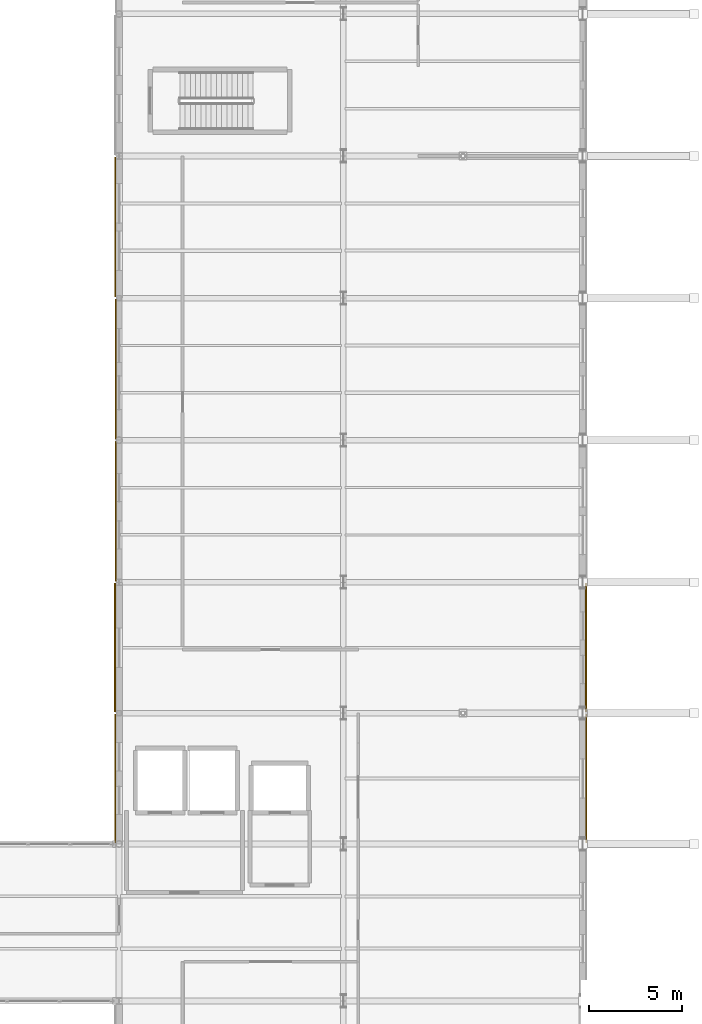
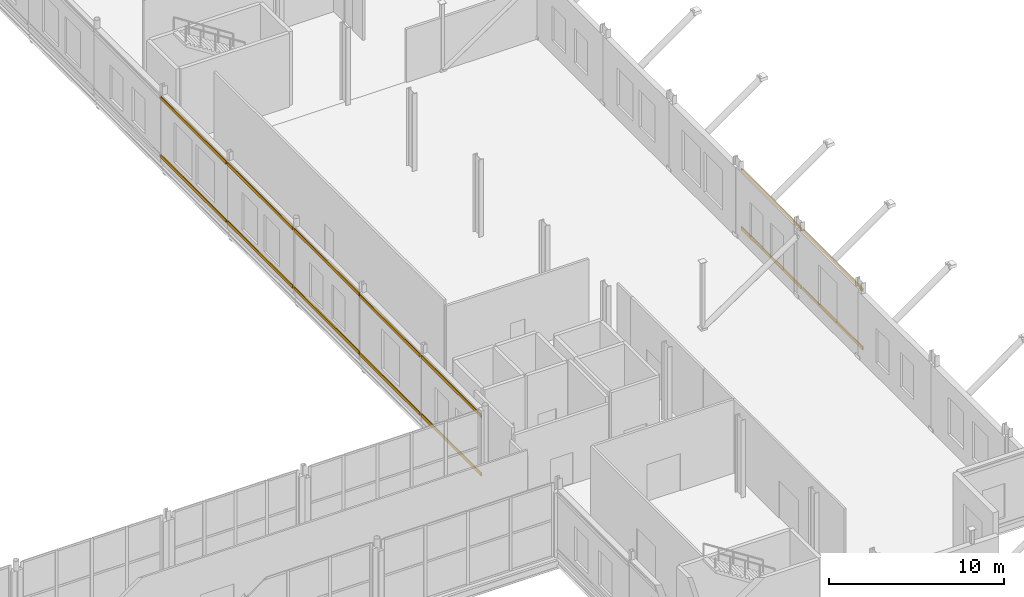
# One storey, part 144 of 147: 14 coverings.
"""IFC4 building model written with IfcOpenShell, lengths in metres."""

from ifc_helpers import new_model, si_unit, direction, frame, origin, origin_2d, place, context, subcontext, project, spatial, rectangle, extrude, material, layer, layer_set, type_object, element, save


model = new_model("IFC4")

# Units and contexts
model_context = context("Model", 3, precision=1e-05, world=origin(), true_north=direction((0.0, 1.0)))
body_context = subcontext(model_context, "Body", "Model", "MODEL_VIEW")
ifc_project = project(units=[si_unit("LENGTHUNIT", "METRE"), si_unit("AREAUNIT", "SQUARE_METRE"), si_unit("VOLUMEUNIT", "CUBIC_METRE"), si_unit("PLANEANGLEUNIT", "RADIAN"), si_unit("MASSUNIT", "GRAM", prefix="KILO")], contexts=[model_context])

# Site, building, storey
site_placement = place(None, origin())
site = spatial("IfcSite", under=ifc_project, at=site_placement, CompositionType="ELEMENT")
building_placement = place(site_placement, origin())
building = spatial("IfcBuilding", under=site, at=building_placement, Name="Vekula Escarpment Museum", CompositionType="ELEMENT")
storey_placement = place(building_placement, frame((0.0, 0.0, 7.800048828125)))
storey = spatial("IfcBuildingStorey", under=building, at=storey_placement, Name="L02", CompositionType="ELEMENT", Elevation=7.800048828125)

# Coverings
ifc_material = material(Name="Polychrome limestone almasik string-course band", Category="masonry")
ifc_layer = layer(ifc_material, 0.06005859375)
ifc_layer_set = layer_set([ifc_layer], Name="Polychrome limestone almasik string-course band")
covering_type = type_object("IfcCoveringType", Name="COV-ALM-BAND", PredefinedType="CLADDING", material=ifc_layer_set)
for number, where, z_axis, x_axis, name in (
    (1, (191.986083984375, 79.89990234375, 0.41015625), (0.0, 0.0, 1.0), (0.0, 1.0, 0.0), "Almasik Stone String Course L02-0310"),
    (2, (191.986083984375, 79.89990234375, 4.48486328125), (0.0, 0.0, 1.0), (0.0, 1.0, 0.0), "Almasik Stone String Course L02-0311"),
    (3, (191.97607421875, 86.89990234375, 0.41015625), (0.0, 0.0, 1.0), (0.0, 1.0, 0.0), "Almasik Stone String Course L02-0312"),
    (4, (191.97607421875, 86.89990234375, 4.48486328125), (0.0, 0.0, 1.0), (0.0, 1.0, 0.0), "Almasik Stone String Course L02-0313"),
):
    element("IfcCovering", number, at=place(storey_placement, frame(where, z_axis=z_axis, x_axis=x_axis)), inside=storey, type_object=covering_type, Name=name, PredefinedType="CLADDING", context=body_context, shape_type="SweptSolid", body=[
        extrude(rectangle(XDim=6.8798828125, YDim=0.06005859375, at=origin_2d()), origin(), (0.0, 0.0, 1.0), 0.219970703125),
    ])
for number, where, z_axis, x_axis, name in (
    (5, (166.799072265625, 109.39990234375, 0.41015625), (0.0, 0.0, 1.0), (0.0, 1.0, 0.0), "Almasik Stone String Course L02-0340"),
    (6, (166.799072265625, 109.39990234375, 4.48486328125), (0.0, 0.0, 1.0), (0.0, 1.0, 0.0), "Almasik Stone String Course L02-0341"),
    (7, (166.81396484375, 101.800048828125, 0.41015625), (0.0, 0.0, 1.0), (0.0, 1.0, 0.0), "Almasik Stone String Course L02-0342"),
    (8, (166.81396484375, 101.800048828125, 4.48486328125), (0.0, 0.0, 1.0), (0.0, 1.0, 0.0), "Almasik Stone String Course L02-0343"),
    (9, (166.823974609375, 94.199951171875, 0.41015625), (0.0, 0.0, 1.0), (0.0, 1.0, 0.0), "Almasik Stone String Course L02-0344"),
    (10, (166.823974609375, 94.199951171875, 4.48486328125), (0.0, 0.0, 1.0), (0.0, 1.0, 0.0), "Almasik Stone String Course L02-0345"),
):
    element("IfcCovering", number, at=place(storey_placement, frame(where, z_axis=z_axis, x_axis=x_axis)), inside=storey, type_object=covering_type, Name=name, PredefinedType="CLADDING", context=body_context, shape_type="SweptSolid", body=[
        extrude(rectangle(XDim=7.47998046875, YDim=0.06005859375, at=origin_2d()), origin(), (0.0, 0.0, 1.0), 0.219970703125),
    ])
for number, where, z_axis, x_axis, name in (
    (11, (166.783935546875, 86.89990234375, 0.41015625), (0.0, 0.0, 1.0), (0.0, 1.0, 0.0), "Almasik Stone String Course L02-0346"),
    (12, (166.783935546875, 86.89990234375, 4.48486328125), (0.0, 0.0, 1.0), (0.0, 1.0, 0.0), "Almasik Stone String Course L02-0347"),
    (13, (166.799072265625, 79.89990234375, 0.41015625), (0.0, 0.0, 1.0), (0.0, 1.0, 0.0), "Almasik Stone String Course L02-0348"),
    (14, (166.799072265625, 79.89990234375, 4.48486328125), (0.0, 0.0, 1.0), (0.0, 1.0, 0.0), "Almasik Stone String Course L02-0349"),
):
    element("IfcCovering", number, at=place(storey_placement, frame(where, z_axis=z_axis, x_axis=x_axis)), inside=storey, type_object=covering_type, Name=name, PredefinedType="CLADDING", context=body_context, shape_type="SweptSolid", body=[
        extrude(rectangle(XDim=6.8798828125, YDim=0.06005859375, at=origin_2d()), origin(), (0.0, 0.0, 1.0), 0.219970703125),
    ])

save(model, "model.ifc")
